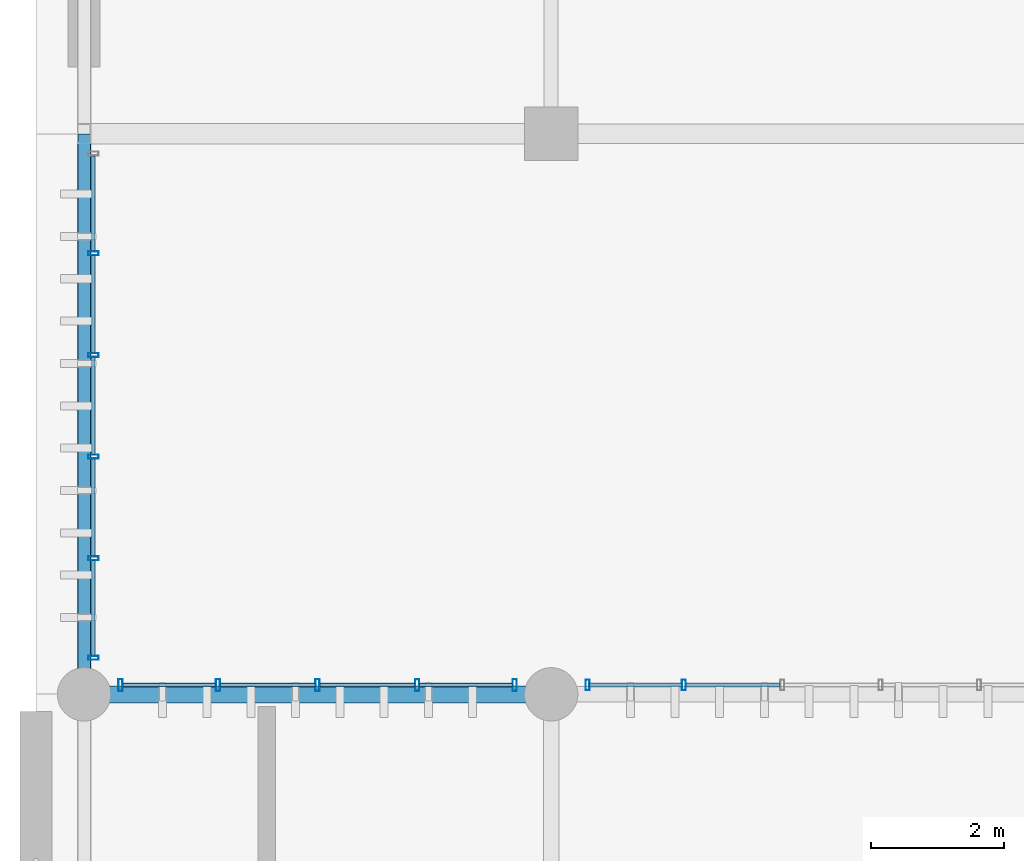
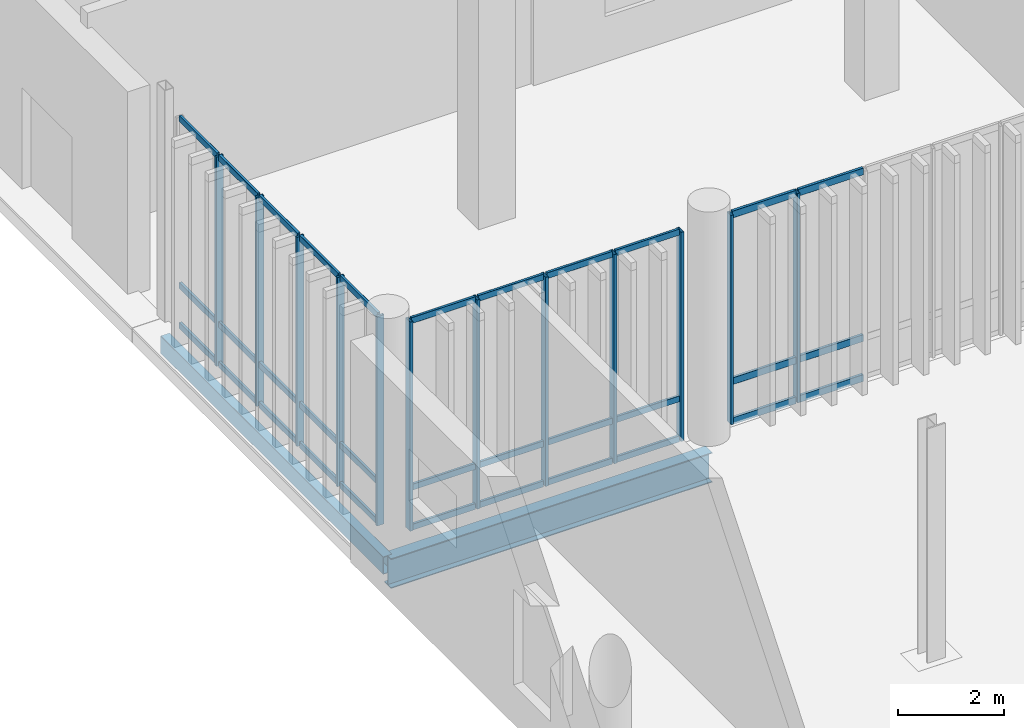
# One storey, part 15 of 112: 45 members, 2 beams, 3 elements without a shape of their own.
"""IFC4 building model written with IfcOpenShell, lengths in metres."""

import ifcopenshell
import ifcopenshell.guid

model = None  # the IFC model being written
_history = None  # IfcOwnerHistory: only IFC2X3 demands one
_inside = {}  # id of a spatial element -> (the spatial element, [elements in it])
_under = {}  # id of a project, library or spatial element -> (it, [spatial elements below it])
_declared = {}  # id of a project -> (the project, [libraries it declares])
_typed = {}  # id of a type object -> (the type object, [elements of that type])
_made_of = {}  # id of a material, layer set ... -> (it, [elements and type objects made of it])


def new_model(schema):
    """Start an empty IFC model of exactly this schema.

    Asked for "IFC4X3", IfcOpenShell would pick the latest addendum, in which some entities
    have other attributes; the version numbers below select the first issue.
    IFC2X3 requires an IfcOwnerHistory on every rooted entity: one is made here for all.
    """
    global model, _history
    if schema == "IFC4X3":
        model = ifcopenshell.file(schema_version=(4, 3, 0, 0))
    else:
        model = ifcopenshell.file(schema=schema)
    _inside.clear()
    _under.clear()
    _declared.clear()
    _typed.clear()
    _made_of.clear()
    _history = None
    if model.schema == "IFC2X3":
        org = make("IfcOrganization", Name="unknown")
        user = make(
            "IfcPersonAndOrganization",
            ThePerson=make("IfcPerson", FamilyName="unknown"),
            TheOrganization=org,
        )
        app = make(
            "IfcApplication",
            ApplicationDeveloper=org,
            Version="unknown",
            ApplicationFullName="unknown",
            ApplicationIdentifier="unknown",
        )
        _history = make(
            "IfcOwnerHistory",
            OwningUser=user,
            OwningApplication=app,
            ChangeAction="ADDED",
            CreationDate=0,
        )
    return model


def make(cls, **values):
    """One entity of the class cls with the attributes given. An attribute that is None is left unset."""
    return model.create_entity(
        cls, **{name: value for name, value in values.items() if value is not None}
    )


def rooted(cls, **values):
    """An entity with a GlobalId (a new one), such as an element, a storey or a relation."""
    return make(cls, GlobalId=ifcopenshell.guid.new(), OwnerHistory=_history, **values)


def si_unit(unit_type, name, prefix=None):
    """IfcSIUnit, for example si_unit("LENGTHUNIT", "METRE", prefix="MILLI")."""
    return make("IfcSIUnit", UnitType=unit_type, Prefix=prefix, Name=name)


def assignment(units):
    """IfcUnitAssignment: the units of a project."""
    return None if units is None else make("IfcUnitAssignment", Units=units)


def point(xyz):
    """IfcCartesianPoint."""
    return None if xyz is None else make("IfcCartesianPoint", Coordinates=xyz)


def direction(xyz):
    """IfcDirection."""
    return None if xyz is None else make("IfcDirection", DirectionRatios=xyz)


def frame(location, z_axis=None, x_axis=None):
    """IfcAxis2Placement3D, a coordinate frame: its origin and axes. An axis left out is left unset."""
    return make(
        "IfcAxis2Placement3D",
        Location=point(location),
        Axis=direction(z_axis),
        RefDirection=direction(x_axis),
    )


def frame_2d(location, x_axis=None):
    """IfcAxis2Placement2D, a coordinate frame in the plane: its origin and x axis."""
    return make(
        "IfcAxis2Placement2D", Location=point(location), RefDirection=direction(x_axis)
    )


def origin_with_axes():
    """The frame at (0, 0, 0) with the z axis (0, 0, 1) and the x axis (1, 0, 0) written out."""
    return frame((0.0, 0.0, 0.0), z_axis=(0.0, 0.0, 1.0), x_axis=(1.0, 0.0, 0.0))


def origin_2d_with_axis():
    """The frame at (0, 0) in the plane with the x axis (1, 0) written out."""
    return frame_2d((0.0, 0.0), x_axis=(1.0, 0.0))


def place(relative_to, where):
    """IfcLocalPlacement: puts the frame where relative to a parent placement (None: the world)."""
    return make(
        "IfcLocalPlacement", PlacementRelTo=relative_to, RelativePlacement=where
    )


def context(
    kind, dimensions, precision=None, world=None, true_north=None, identifier=None
):
    """IfcGeometricRepresentationContext, for example the 3D "Model" context."""
    return make(
        "IfcGeometricRepresentationContext",
        ContextIdentifier=identifier,
        ContextType=kind,
        CoordinateSpaceDimension=dimensions,
        Precision=precision,
        WorldCoordinateSystem=world,
        TrueNorth=true_north,
    )


def subcontext(parent, identifier, kind, view, scale=None):
    """IfcGeometricRepresentationSubContext, for example "Body" below "Model"."""
    return make(
        "IfcGeometricRepresentationSubContext",
        ContextIdentifier=identifier,
        ContextType=kind,
        ParentContext=parent,
        TargetScale=scale,
        TargetView=view,
    )


def project(units=None, contexts=None):
    """IfcProject with its units and contexts."""
    return rooted(
        "IfcProject",
        Name="project",
        RepresentationContexts=contexts,
        UnitsInContext=assignment(units),
    )


def spatial(cls, under=None, at=None, **own):
    """A site, building, storey or space (cls), placed at a placement, below another one or the project."""
    s = rooted(cls, ObjectPlacement=at, **own)
    if under is not None:
        _under.setdefault(under.id(), (under, []))[1].append(s)
    return s


def profile(cls, at=None, kind="AREA", **sizes):
    """A parametric profile (cls). Its sizes go by their IFC names, for example OverallWidth=200.0."""
    return make(cls, ProfileType=kind, Position=at, **sizes)


def hollow_rectangle(**sizes):
    """IfcRectangleHollowProfileDef."""
    return profile("IfcRectangleHollowProfileDef", **sizes)


def i_section(**sizes):
    """IfcIShapeProfileDef."""
    return profile("IfcIShapeProfileDef", **sizes)


def extrude(swept, where, along, depth):
    """IfcExtrudedAreaSolid: the profile swept, set in the frame where, extruded along a direction by depth."""
    return make(
        "IfcExtrudedAreaSolid",
        SweptArea=swept,
        Position=where,
        ExtrudedDirection=direction(along),
        Depth=depth,
    )


def shape(context_of_items, identifier, shape_type, items):
    """IfcShapeRepresentation: the items that make up one representation, for example the "Body"."""
    return make(
        "IfcShapeRepresentation",
        ContextOfItems=context_of_items,
        RepresentationIdentifier=identifier,
        RepresentationType=shape_type,
        Items=items,
    )


def material(Name=None, Category=None):
    """IfcMaterial."""
    return make("IfcMaterial", Name=Name, Category=Category)


def material_profile(
    of_material, cross_section, Name=None, Category=None, Priority=None
):
    """IfcMaterialProfile: a cross section and its material."""
    return make(
        "IfcMaterialProfile",
        Name=Name,
        Material=of_material,
        Profile=cross_section,
        Priority=Priority,
        Category=Category,
    )


def profile_set(profiles, Name=None, composite=None):
    """IfcMaterialProfileSet."""
    return make(
        "IfcMaterialProfileSet",
        Name=Name,
        MaterialProfiles=profiles,
        CompositeProfile=composite,
    )


def made_of(thing, what):
    """Note that an element or type object is made of a material, layer set ...; save() writes the relation."""
    if what is not None:
        _made_of.setdefault(what.id(), (what, []))[1].append(thing)
    return thing


def type_object(cls, material=None, **own):
    """A type object (cls), such as IfcWallType, which elements share."""
    return made_of(rooted(cls, **own), material)


def element(
    cls,
    number,
    at=None,
    inside=None,
    cuts=None,
    type_object=None,
    material=None,
    context=None,
    identifier="Body",
    shape_type=None,
    held_by="IfcProductDefinitionShape",
    body=None,
    shapes=None,
    **own,
):
    """One element of the class cls, such as IfcWall. Its Tag is "e" and its number.

    at: its placement. inside: the storey or other place that contains it. cuts: it is an
    opening in that element (IfcRelVoidsElement). A single representation is given by context,
    identifier, shape_type and body (its items); several are given by shapes. held_by: the class
    of the entity that holds the representations. save() writes the other relations.
    """
    e = rooted(cls, Tag="e%d" % number, ObjectPlacement=at, **own)
    if body is not None:
        shapes = [shape(context, identifier, shape_type, body)]
    if shapes is not None:
        e.Representation = make(held_by, Representations=shapes)
    if inside is not None:
        _inside.setdefault(inside.id(), (inside, []))[1].append(e)
    if cuts is not None:
        rooted(
            "IfcRelVoidsElement", RelatingBuildingElement=cuts, RelatedOpeningElement=e
        )
    if type_object is not None:
        _typed.setdefault(type_object.id(), (type_object, []))[1].append(e)
    return made_of(e, material)


def aggregate(whole, parts):
    """IfcRelAggregates: a whole, such as a stair, and the parts it consists of."""
    return rooted("IfcRelAggregates", RelatingObject=whole, RelatedObjects=parts)


def save(model, path):
    """Write the relations noted so far, then the file.

    IfcRelAggregates (storeys below a building ...), IfcRelContainedInSpatialStructure (elements
    in a storey), IfcRelDefinesByType, IfcRelAssociatesMaterial and IfcRelDeclares: one each for
    every whole, place, type object, material and project.
    """
    for whole, parts in _under.values():
        aggregate(whole, parts)
    for where, things in _inside.values():
        rooted(
            "IfcRelContainedInSpatialStructure",
            RelatedElements=things,
            RelatingStructure=where,
        )
    for kind, things in _typed.values():
        rooted("IfcRelDefinesByType", RelatedObjects=things, RelatingType=kind)
    for what, things in _made_of.values():
        rooted("IfcRelAssociatesMaterial", RelatedObjects=things, RelatingMaterial=what)
    for by, libraries in _declared.values():
        rooted("IfcRelDeclares", RelatingContext=by, RelatedDefinitions=libraries)
    model.write(path)


model = new_model("IFC4")

# Units and contexts
model_context = context("Model", 3, precision=1e-05, world=origin_with_axes(), true_north=direction((0.0, 1.0)))
body_context = subcontext(model_context, "Body", "Model", "MODEL_VIEW")
ifc_project = project(units=[si_unit("LENGTHUNIT", "METRE"), si_unit("AREAUNIT", "SQUARE_METRE"), si_unit("VOLUMEUNIT", "CUBIC_METRE"), si_unit("PLANEANGLEUNIT", "RADIAN"), si_unit("MASSUNIT", "GRAM", prefix="KILO"), si_unit("THERMODYNAMICTEMPERATUREUNIT", "KELVIN")], contexts=[model_context])

# Site, building, storey
site_placement = place(None, origin_with_axes())
site = spatial("IfcSite", under=ifc_project, at=site_placement, CompositionType="ELEMENT")
building_placement = place(site_placement, origin_with_axes())
building = spatial("IfcBuilding", under=site, at=building_placement, Name="Montbau Bow Law Courts", CompositionType="ELEMENT")
storey_placement = place(building_placement, origin_with_axes())
storey = spatial("IfcBuildingStorey", under=building, at=storey_placement, Name="L00", CompositionType="ELEMENT", Elevation=0.0)

# Beams
ifc_material_1 = material(Name="Steel CSA G40.21 Grade 350W (350 MPa)", Category="steel")
ifc_material_profile_1 = material_profile(ifc_material_1, i_section(OverallWidth=0.254, OverallDepth=0.688, WebThickness=0.0131, FlangeThickness=0.0211, at=origin_2d_with_axis()), Name="W690X152", Category="Main", Priority=0)
ifc_profile_set_1 = profile_set([ifc_material_profile_1], Name="Steel CSA G40.21 Grade 350W (350 MPa)")
beam_type_1 = type_object("IfcBeamType", Name="B-FLR-04", PredefinedType="BEAM", material=ifc_profile_set_1)
beam_1_placement = place(None, frame((6.8, 30.6, -0.684), z_axis=(1.0, 0.0, 0.0), x_axis=(0.0, 1.0, 0.0)))
element("IfcBeam", 1, at=beam_1_placement, inside=storey, type_object=beam_type_1, Name="BM-L00-S0169:bm2_0172", PredefinedType="BEAM", context=body_context, shape_type="SweptSolid", body=[
    extrude(i_section(OverallWidth=0.254, OverallDepth=0.688, WebThickness=0.0131, FlangeThickness=0.0211, at=origin_2d_with_axis()), origin_with_axes(), (0.0, 0.0, 1.0), 7.0),
])
ifc_material_2 = material(Name="Steel CSA G40.21 Grade 350WT (350 MPa)", Category="steel")
ifc_material_profile_2 = material_profile(ifc_material_2, hollow_rectangle(XDim=0.203, YDim=0.406, WallThickness=0.0127, InnerFilletRadius=0.0254, OuterFilletRadius=0.0127, at=origin_2d_with_axis()), Name="HSS406X203X13", Category="Main", Priority=0)
ifc_profile_set_2 = profile_set([ifc_material_profile_2], Name="Steel CSA G40.21 Grade 350WT (350 MPa)")
beam_type_2 = type_object("IfcBeamType", Name="B-SPN-01", PredefinedType="SPANDREL", material=ifc_profile_set_2)
beam_2_placement = place(None, frame((6.8, 30.6, -0.543), z_axis=(0.0, 1.0, 0.0), x_axis=(-1.0, 0.0, 0.0)))
element("IfcBeam", 2, at=beam_2_placement, inside=storey, type_object=beam_type_2, Name="SPN-L00-S0239:bm2_0242", PredefinedType="SPANDREL", context=body_context, shape_type="SweptSolid", body=[
    extrude(hollow_rectangle(XDim=0.203, YDim=0.406, WallThickness=0.0127, InnerFilletRadius=0.0254, OuterFilletRadius=0.0127, at=origin_2d_with_axis()), origin_with_axes(), (0.0, 0.0, 1.0), 8.4),
])

# Curtain wall, members
ifc_material_3 = material(Name="Thermally Broken Extruded Aluminium AA 6063-T6", Category="aluminium")
curtain_wall_type = type_object("IfcCurtainWallType", Name="CW-TRC-01", PredefinedType="NOTDEFINED", material=ifc_material_3)
curtain_wall_1_placement = place(None, frame((7.315, 30.74, 0.0), z_axis=(0.0, 0.0, 1.0), x_axis=(1.0, 0.0, 0.0)))
curtain_wall_1 = element("IfcCurtainWall", 3, at=curtain_wall_1_placement, inside=storey, type_object=curtain_wall_type, Name="CW-L00-001:cw_0001", PredefinedType="NOTDEFINED")
ifc_material_profile_3 = material_profile(ifc_material_3, hollow_rectangle(XDim=0.065, YDim=0.18, WallThickness=0.005, InnerFilletRadius=0.01, OuterFilletRadius=0.005, at=origin_2d_with_axis()), Name="CWM-180X65", Category="Main", Priority=0)
ifc_profile_set_3 = profile_set([ifc_material_profile_3], Name="Thermally Broken Extruded Aluminium AA 6063-T6")
member_type_1 = type_object("IfcMemberType", Name="M-MUL-02", PredefinedType="MULLION", material=ifc_profile_set_3)
member_1_placement = place(None, frame((7.348, 30.74, 0.0), z_axis=(0.0, 0.0, 1.0), x_axis=(1.0, 0.0, 0.0)))
member_1 = element("IfcMember", 4, at=member_1_placement, type_object=member_type_1, Name="CW-L00-001-M01:cw_0001_M01", PredefinedType="MULLION", context=body_context, shape_type="SweptSolid", body=[
    extrude(hollow_rectangle(XDim=0.065, YDim=0.18, WallThickness=0.005, InnerFilletRadius=0.01, OuterFilletRadius=0.005, at=origin_2d_with_axis()), origin_with_axes(), (0.0, 0.0, 1.0), 4.82),
])
member_2_placement = place(None, frame((8.807, 30.74, 0.0), z_axis=(0.0, 0.0, 1.0), x_axis=(1.0, 0.0, 0.0)))
member_2 = element("IfcMember", 5, at=member_2_placement, type_object=member_type_1, Name="CW-L00-001-M02:cw_0001_M02", PredefinedType="MULLION", context=body_context, shape_type="SweptSolid", body=[
    extrude(hollow_rectangle(XDim=0.065, YDim=0.18, WallThickness=0.005, InnerFilletRadius=0.01, OuterFilletRadius=0.005, at=origin_2d_with_axis()), origin_with_axes(), (0.0, 0.0, 1.0), 4.82),
])
member_3_placement = place(None, frame((10.3, 30.74, 0.0), z_axis=(0.0, 0.0, 1.0), x_axis=(1.0, 0.0, 0.0)))
member_3 = element("IfcMember", 6, at=member_3_placement, type_object=member_type_1, Name="CW-L00-001-M03:cw_0001_M03", PredefinedType="MULLION", context=body_context, shape_type="SweptSolid", body=[
    extrude(hollow_rectangle(XDim=0.065, YDim=0.18, WallThickness=0.005, InnerFilletRadius=0.01, OuterFilletRadius=0.005, at=origin_2d_with_axis()), origin_with_axes(), (0.0, 0.0, 1.0), 4.82),
])
member_4_placement = place(None, frame((11.793, 30.74, 0.0), z_axis=(0.0, 0.0, 1.0), x_axis=(1.0, 0.0, 0.0)))
member_4 = element("IfcMember", 7, at=member_4_placement, type_object=member_type_1, Name="CW-L00-001-M04:cw_0001_M04", PredefinedType="MULLION", context=body_context, shape_type="SweptSolid", body=[
    extrude(hollow_rectangle(XDim=0.065, YDim=0.18, WallThickness=0.005, InnerFilletRadius=0.01, OuterFilletRadius=0.005, at=origin_2d_with_axis()), origin_with_axes(), (0.0, 0.0, 1.0), 4.82),
])
member_5_placement = place(None, frame((13.253, 30.74, 0.0), z_axis=(0.0, 0.0, 1.0), x_axis=(1.0, 0.0, 0.0)))
member_5 = element("IfcMember", 8, at=member_5_placement, type_object=member_type_1, Name="CW-L00-001-M05:cw_0001_M05", PredefinedType="MULLION", context=body_context, shape_type="SweptSolid", body=[
    extrude(hollow_rectangle(XDim=0.065, YDim=0.18, WallThickness=0.005, InnerFilletRadius=0.01, OuterFilletRadius=0.005, at=origin_2d_with_axis()), origin_with_axes(), (0.0, 0.0, 1.0), 4.82),
])

curtain_wall_2_placement = place(None, frame((14.315, 30.74, 0.0), z_axis=(0.0, 0.0, 1.0), x_axis=(1.0, 0.0, 0.0)))
curtain_wall_2 = element("IfcCurtainWall", 9, at=curtain_wall_2_placement, inside=storey, type_object=curtain_wall_type, Name="CW-L00-002:cw_0002", PredefinedType="NOTDEFINED")
ifc_material_profile_4 = material_profile(ifc_material_3, hollow_rectangle(XDim=0.06, YDim=0.16, WallThickness=0.004, InnerFilletRadius=0.008, OuterFilletRadius=0.004, at=origin_2d_with_axis()), Name="CWM-160X60", Category="Main", Priority=0)
ifc_profile_set_4 = profile_set([ifc_material_profile_4], Name="Thermally Broken Extruded Aluminium AA 6063-T6")
member_type_2 = type_object("IfcMemberType", Name="M-MUL-03", PredefinedType="MULLION", material=ifc_profile_set_4)
member_6_placement = place(None, frame((14.345, 30.74, 0.0), z_axis=(0.0, 0.0, 1.0), x_axis=(1.0, 0.0, 0.0)))
member_6 = element("IfcMember", 10, at=member_6_placement, type_object=member_type_2, Name="CW-L00-002-M01:cw_0002_M01", PredefinedType="MULLION", context=body_context, shape_type="SweptSolid", body=[
    extrude(hollow_rectangle(XDim=0.06, YDim=0.16, WallThickness=0.004, InnerFilletRadius=0.008, OuterFilletRadius=0.004, at=origin_2d_with_axis()), origin_with_axes(), (0.0, 0.0, 1.0), 4.82),
])
member_7_placement = place(None, frame((15.789, 30.74, 0.0), z_axis=(0.0, 0.0, 1.0), x_axis=(1.0, 0.0, 0.0)))
member_7 = element("IfcMember", 11, at=member_7_placement, type_object=member_type_2, Name="CW-L00-002-M02:cw_0002_M02", PredefinedType="MULLION", context=body_context, shape_type="SweptSolid", body=[
    extrude(hollow_rectangle(XDim=0.06, YDim=0.16, WallThickness=0.004, InnerFilletRadius=0.008, OuterFilletRadius=0.004, at=origin_2d_with_axis()), origin_with_axes(), (0.0, 0.0, 1.0), 4.82),
])

curtain_wall_3_placement = place(None, frame((6.94, 31.115, 0.0), z_axis=(0.0, 0.0, 1.0), x_axis=(1.0, 0.0, 0.0)))
curtain_wall_3 = element("IfcCurtainWall", 12, at=curtain_wall_3_placement, inside=storey, type_object=curtain_wall_type, Name="CW-L00-011:cw_0011", PredefinedType="NOTDEFINED")
member_8_placement = place(None, frame((6.94, 31.145, 0.0), z_axis=(0.0, 0.0, 1.0), x_axis=(0.0, 1.0, 0.0)))
member_8 = element("IfcMember", 13, at=member_8_placement, type_object=member_type_2, Name="CW-L00-011-M01:cw_0011_M01", PredefinedType="MULLION", context=body_context, shape_type="SweptSolid", body=[
    extrude(hollow_rectangle(XDim=0.06, YDim=0.16, WallThickness=0.004, InnerFilletRadius=0.008, OuterFilletRadius=0.004, at=origin_2d_with_axis()), origin_with_axes(), (0.0, 0.0, 1.0), 4.82),
])
member_9_placement = place(None, frame((6.94, 32.638, 0.0), z_axis=(0.0, 0.0, 1.0), x_axis=(0.0, 1.0, 0.0)))
member_9 = element("IfcMember", 14, at=member_9_placement, type_object=member_type_2, Name="CW-L00-011-M02:cw_0011_M02", PredefinedType="MULLION", context=body_context, shape_type="SweptSolid", body=[
    extrude(hollow_rectangle(XDim=0.06, YDim=0.16, WallThickness=0.004, InnerFilletRadius=0.008, OuterFilletRadius=0.004, at=origin_2d_with_axis()), origin_with_axes(), (0.0, 0.0, 1.0), 4.82),
])
member_10_placement = place(None, frame((6.94, 34.162, 0.0), z_axis=(0.0, 0.0, 1.0), x_axis=(0.0, 1.0, 0.0)))
member_10 = element("IfcMember", 15, at=member_10_placement, type_object=member_type_2, Name="CW-L00-011-M03:cw_0011_M03", PredefinedType="MULLION", context=body_context, shape_type="SweptSolid", body=[
    extrude(hollow_rectangle(XDim=0.06, YDim=0.16, WallThickness=0.004, InnerFilletRadius=0.008, OuterFilletRadius=0.004, at=origin_2d_with_axis()), origin_with_axes(), (0.0, 0.0, 1.0), 4.82),
])
member_11_placement = place(None, frame((6.94, 35.685, 0.0), z_axis=(0.0, 0.0, 1.0), x_axis=(0.0, 1.0, 0.0)))
member_11 = element("IfcMember", 16, at=member_11_placement, type_object=member_type_2, Name="CW-L00-011-M04:cw_0011_M04", PredefinedType="MULLION", context=body_context, shape_type="SweptSolid", body=[
    extrude(hollow_rectangle(XDim=0.06, YDim=0.16, WallThickness=0.004, InnerFilletRadius=0.008, OuterFilletRadius=0.004, at=origin_2d_with_axis()), origin_with_axes(), (0.0, 0.0, 1.0), 4.82),
])
member_12_placement = place(None, frame((6.94, 37.209, 0.0), z_axis=(0.0, 0.0, 1.0), x_axis=(0.0, 1.0, 0.0)))
member_12 = element("IfcMember", 17, at=member_12_placement, type_object=member_type_2, Name="CW-L00-011-M05:cw_0011_M05", PredefinedType="MULLION", context=body_context, shape_type="SweptSolid", body=[
    extrude(hollow_rectangle(XDim=0.06, YDim=0.16, WallThickness=0.004, InnerFilletRadius=0.008, OuterFilletRadius=0.004, at=origin_2d_with_axis()), origin_with_axes(), (0.0, 0.0, 1.0), 4.82),
])

# Member
ifc_material_profile_5 = material_profile(ifc_material_3, hollow_rectangle(XDim=0.06, YDim=0.16, WallThickness=0.004, InnerFilletRadius=0.008, OuterFilletRadius=0.004, at=origin_2d_with_axis()), Name="CWT-160X60", Category="Main", Priority=0)
ifc_profile_set_5 = profile_set([ifc_material_profile_5], Name="Thermally Broken Extruded Aluminium AA 6063-T6")
member_type_3 = type_object("IfcMemberType", Name="M-TRN-01", PredefinedType="USERDEFINED", material=ifc_profile_set_5)
member_13_placement = place(None, frame((14.377, 30.74, 0.03), z_axis=(1.0, 0.0, 0.0), x_axis=(0.0, 1.0, 0.0)))
member_13 = element("IfcMember", 18, at=member_13_placement, type_object=member_type_3, Name="CW-L00-002-T01-1:cw_0002_T01_1", ObjectType="TRANSOM", PredefinedType="USERDEFINED", context=body_context, shape_type="SweptSolid", body=[
    extrude(hollow_rectangle(XDim=0.06, YDim=0.16, WallThickness=0.004, InnerFilletRadius=0.008, OuterFilletRadius=0.004, at=origin_2d_with_axis()), origin_with_axes(), (0.0, 0.0, 1.0), 1.38),
])

member_14_placement = place(None, frame((14.377, 30.74, 0.95), z_axis=(1.0, 0.0, 0.0), x_axis=(0.0, 1.0, 0.0)))
member_14 = element("IfcMember", 19, at=member_14_placement, type_object=member_type_3, Name="CW-L00-002-T01-2:cw_0002_T01_2", ObjectType="TRANSOM", PredefinedType="USERDEFINED", context=body_context, shape_type="SweptSolid", body=[
    extrude(hollow_rectangle(XDim=0.06, YDim=0.16, WallThickness=0.004, InnerFilletRadius=0.008, OuterFilletRadius=0.004, at=origin_2d_with_axis()), origin_with_axes(), (0.0, 0.0, 1.0), 1.38),
])

member_15_placement = place(None, frame((14.377, 30.74, 4.79), z_axis=(1.0, 0.0, 0.0), x_axis=(0.0, 1.0, 0.0)))
member_15 = element("IfcMember", 20, at=member_15_placement, type_object=member_type_3, Name="CW-L00-002-T01-3:cw_0002_T01_3", ObjectType="TRANSOM", PredefinedType="USERDEFINED", context=body_context, shape_type="SweptSolid", body=[
    extrude(hollow_rectangle(XDim=0.06, YDim=0.16, WallThickness=0.004, InnerFilletRadius=0.008, OuterFilletRadius=0.004, at=origin_2d_with_axis()), origin_with_axes(), (0.0, 0.0, 1.0), 1.38),
])

member_16_placement = place(None, frame((15.821, 30.74, 0.03), z_axis=(1.0, 0.0, 0.0), x_axis=(0.0, 1.0, 0.0)))
member_16 = element("IfcMember", 21, at=member_16_placement, type_object=member_type_3, Name="CW-L00-002-T02-1:cw_0002_T02_1", ObjectType="TRANSOM", PredefinedType="USERDEFINED", context=body_context, shape_type="SweptSolid", body=[
    extrude(hollow_rectangle(XDim=0.06, YDim=0.16, WallThickness=0.004, InnerFilletRadius=0.008, OuterFilletRadius=0.004, at=origin_2d_with_axis()), origin_with_axes(), (0.0, 0.0, 1.0), 1.41),
])

member_17_placement = place(None, frame((15.821, 30.74, 0.95), z_axis=(1.0, 0.0, 0.0), x_axis=(0.0, 1.0, 0.0)))
member_17 = element("IfcMember", 22, at=member_17_placement, type_object=member_type_3, Name="CW-L00-002-T02-2:cw_0002_T02_2", ObjectType="TRANSOM", PredefinedType="USERDEFINED", context=body_context, shape_type="SweptSolid", body=[
    extrude(hollow_rectangle(XDim=0.06, YDim=0.16, WallThickness=0.004, InnerFilletRadius=0.008, OuterFilletRadius=0.004, at=origin_2d_with_axis()), origin_with_axes(), (0.0, 0.0, 1.0), 1.41),
])

member_18_placement = place(None, frame((15.821, 30.74, 4.79), z_axis=(1.0, 0.0, 0.0), x_axis=(0.0, 1.0, 0.0)))
member_18 = element("IfcMember", 23, at=member_18_placement, type_object=member_type_3, Name="CW-L00-002-T02-3:cw_0002_T02_3", ObjectType="TRANSOM", PredefinedType="USERDEFINED", context=body_context, shape_type="SweptSolid", body=[
    extrude(hollow_rectangle(XDim=0.06, YDim=0.16, WallThickness=0.004, InnerFilletRadius=0.008, OuterFilletRadius=0.004, at=origin_2d_with_axis()), origin_with_axes(), (0.0, 0.0, 1.0), 1.41),
])

aggregate(curtain_wall_2, [member_6, member_7, member_13, member_14, member_15, member_16, member_17, member_18])

ifc_material_profile_6 = material_profile(ifc_material_3, hollow_rectangle(XDim=0.055, YDim=0.14, WallThickness=0.004, InnerFilletRadius=0.008, OuterFilletRadius=0.004, at=origin_2d_with_axis()), Name="CWT-140X55", Category="Main", Priority=0)
ifc_profile_set_6 = profile_set([ifc_material_profile_6], Name="Thermally Broken Extruded Aluminium AA 6063-T6")
member_type_4 = type_object("IfcMemberType", Name="M-TRN-02", PredefinedType="USERDEFINED", material=ifc_profile_set_6)
member_19_placement = place(None, frame((7.383, 30.74, 0.028), z_axis=(1.0, 0.0, 0.0), x_axis=(0.0, 1.0, 0.0)))
member_19 = element("IfcMember", 24, at=member_19_placement, type_object=member_type_4, Name="CW-L00-001-T01-1:cw_0001_T01_1", ObjectType="TRANSOM", PredefinedType="USERDEFINED", context=body_context, shape_type="SweptSolid", body=[
    extrude(hollow_rectangle(XDim=0.055, YDim=0.14, WallThickness=0.004, InnerFilletRadius=0.008, OuterFilletRadius=0.004, at=origin_2d_with_axis()), origin_with_axes(), (0.0, 0.0, 1.0), 1.39),
])

member_20_placement = place(None, frame((7.383, 30.74, 0.95), z_axis=(1.0, 0.0, 0.0), x_axis=(0.0, 1.0, 0.0)))
member_20 = element("IfcMember", 25, at=member_20_placement, type_object=member_type_4, Name="CW-L00-001-T01-2:cw_0001_T01_2", ObjectType="TRANSOM", PredefinedType="USERDEFINED", context=body_context, shape_type="SweptSolid", body=[
    extrude(hollow_rectangle(XDim=0.055, YDim=0.14, WallThickness=0.004, InnerFilletRadius=0.008, OuterFilletRadius=0.004, at=origin_2d_with_axis()), origin_with_axes(), (0.0, 0.0, 1.0), 1.39),
])

member_21_placement = place(None, frame((7.383, 30.74, 4.793), z_axis=(1.0, 0.0, 0.0), x_axis=(0.0, 1.0, 0.0)))
member_21 = element("IfcMember", 26, at=member_21_placement, type_object=member_type_4, Name="CW-L00-001-T01-3:cw_0001_T01_3", ObjectType="TRANSOM", PredefinedType="USERDEFINED", context=body_context, shape_type="SweptSolid", body=[
    extrude(hollow_rectangle(XDim=0.055, YDim=0.14, WallThickness=0.004, InnerFilletRadius=0.008, OuterFilletRadius=0.004, at=origin_2d_with_axis()), origin_with_axes(), (0.0, 0.0, 1.0), 1.39),
])

member_22_placement = place(None, frame((8.841, 30.74, 0.028), z_axis=(1.0, 0.0, 0.0), x_axis=(0.0, 1.0, 0.0)))
member_22 = element("IfcMember", 27, at=member_22_placement, type_object=member_type_4, Name="CW-L00-001-T02-1:cw_0001_T02_1", ObjectType="TRANSOM", PredefinedType="USERDEFINED", context=body_context, shape_type="SweptSolid", body=[
    extrude(hollow_rectangle(XDim=0.055, YDim=0.14, WallThickness=0.004, InnerFilletRadius=0.008, OuterFilletRadius=0.004, at=origin_2d_with_axis()), origin_with_axes(), (0.0, 0.0, 1.0), 1.424),
])

member_23_placement = place(None, frame((8.841, 30.74, 0.95), z_axis=(1.0, 0.0, 0.0), x_axis=(0.0, 1.0, 0.0)))
member_23 = element("IfcMember", 28, at=member_23_placement, type_object=member_type_4, Name="CW-L00-001-T02-2:cw_0001_T02_2", ObjectType="TRANSOM", PredefinedType="USERDEFINED", context=body_context, shape_type="SweptSolid", body=[
    extrude(hollow_rectangle(XDim=0.055, YDim=0.14, WallThickness=0.004, InnerFilletRadius=0.008, OuterFilletRadius=0.004, at=origin_2d_with_axis()), origin_with_axes(), (0.0, 0.0, 1.0), 1.424),
])

member_24_placement = place(None, frame((8.841, 30.74, 4.793), z_axis=(1.0, 0.0, 0.0), x_axis=(0.0, 1.0, 0.0)))
member_24 = element("IfcMember", 29, at=member_24_placement, type_object=member_type_4, Name="CW-L00-001-T02-3:cw_0001_T02_3", ObjectType="TRANSOM", PredefinedType="USERDEFINED", context=body_context, shape_type="SweptSolid", body=[
    extrude(hollow_rectangle(XDim=0.055, YDim=0.14, WallThickness=0.004, InnerFilletRadius=0.008, OuterFilletRadius=0.004, at=origin_2d_with_axis()), origin_with_axes(), (0.0, 0.0, 1.0), 1.424),
])

member_25_placement = place(None, frame((10.334, 30.74, 0.028), z_axis=(1.0, 0.0, 0.0), x_axis=(0.0, 1.0, 0.0)))
member_25 = element("IfcMember", 30, at=member_25_placement, type_object=member_type_4, Name="CW-L00-001-T03-1:cw_0001_T03_1", ObjectType="TRANSOM", PredefinedType="USERDEFINED", context=body_context, shape_type="SweptSolid", body=[
    extrude(hollow_rectangle(XDim=0.055, YDim=0.14, WallThickness=0.004, InnerFilletRadius=0.008, OuterFilletRadius=0.004, at=origin_2d_with_axis()), origin_with_axes(), (0.0, 0.0, 1.0), 1.425),
])

member_26_placement = place(None, frame((10.334, 30.74, 0.95), z_axis=(1.0, 0.0, 0.0), x_axis=(0.0, 1.0, 0.0)))
member_26 = element("IfcMember", 31, at=member_26_placement, type_object=member_type_4, Name="CW-L00-001-T03-2:cw_0001_T03_2", ObjectType="TRANSOM", PredefinedType="USERDEFINED", context=body_context, shape_type="SweptSolid", body=[
    extrude(hollow_rectangle(XDim=0.055, YDim=0.14, WallThickness=0.004, InnerFilletRadius=0.008, OuterFilletRadius=0.004, at=origin_2d_with_axis()), origin_with_axes(), (0.0, 0.0, 1.0), 1.425),
])

member_27_placement = place(None, frame((10.334, 30.74, 4.793), z_axis=(1.0, 0.0, 0.0), x_axis=(0.0, 1.0, 0.0)))
member_27 = element("IfcMember", 32, at=member_27_placement, type_object=member_type_4, Name="CW-L00-001-T03-3:cw_0001_T03_3", ObjectType="TRANSOM", PredefinedType="USERDEFINED", context=body_context, shape_type="SweptSolid", body=[
    extrude(hollow_rectangle(XDim=0.055, YDim=0.14, WallThickness=0.004, InnerFilletRadius=0.008, OuterFilletRadius=0.004, at=origin_2d_with_axis()), origin_with_axes(), (0.0, 0.0, 1.0), 1.425),
])

member_28_placement = place(None, frame((11.827, 30.74, 0.028), z_axis=(1.0, 0.0, 0.0), x_axis=(0.0, 1.0, 0.0)))
member_28 = element("IfcMember", 33, at=member_28_placement, type_object=member_type_4, Name="CW-L00-001-T04-1:cw_0001_T04_1", ObjectType="TRANSOM", PredefinedType="USERDEFINED", context=body_context, shape_type="SweptSolid", body=[
    extrude(hollow_rectangle(XDim=0.055, YDim=0.14, WallThickness=0.004, InnerFilletRadius=0.008, OuterFilletRadius=0.004, at=origin_2d_with_axis()), origin_with_axes(), (0.0, 0.0, 1.0), 1.392),
])

member_29_placement = place(None, frame((11.827, 30.74, 0.95), z_axis=(1.0, 0.0, 0.0), x_axis=(0.0, 1.0, 0.0)))
member_29 = element("IfcMember", 34, at=member_29_placement, type_object=member_type_4, Name="CW-L00-001-T04-2:cw_0001_T04_2", ObjectType="TRANSOM", PredefinedType="USERDEFINED", context=body_context, shape_type="SweptSolid", body=[
    extrude(hollow_rectangle(XDim=0.055, YDim=0.14, WallThickness=0.004, InnerFilletRadius=0.008, OuterFilletRadius=0.004, at=origin_2d_with_axis()), origin_with_axes(), (0.0, 0.0, 1.0), 1.392),
])

member_30_placement = place(None, frame((11.827, 30.74, 4.793), z_axis=(1.0, 0.0, 0.0), x_axis=(0.0, 1.0, 0.0)))
member_30 = element("IfcMember", 35, at=member_30_placement, type_object=member_type_4, Name="CW-L00-001-T04-3:cw_0001_T04_3", ObjectType="TRANSOM", PredefinedType="USERDEFINED", context=body_context, shape_type="SweptSolid", body=[
    extrude(hollow_rectangle(XDim=0.055, YDim=0.14, WallThickness=0.004, InnerFilletRadius=0.008, OuterFilletRadius=0.004, at=origin_2d_with_axis()), origin_with_axes(), (0.0, 0.0, 1.0), 1.392),
])

aggregate(curtain_wall_1, [member_1, member_2, member_3, member_4, member_5, member_19, member_20, member_21, member_22, member_23, member_24, member_25, member_26, member_27, member_28, member_29, member_30])

member_31_placement = place(None, frame((6.94, 31.177, 0.028), z_axis=(0.0, 1.0, 0.0), x_axis=(-1.0, 0.0, 0.0)))
member_31 = element("IfcMember", 36, at=member_31_placement, type_object=member_type_4, Name="CW-L00-011-T01-1:cw_0011_T01_1", ObjectType="TRANSOM", PredefinedType="USERDEFINED", context=body_context, shape_type="SweptSolid", body=[
    extrude(hollow_rectangle(XDim=0.055, YDim=0.14, WallThickness=0.004, InnerFilletRadius=0.008, OuterFilletRadius=0.004, at=origin_2d_with_axis()), origin_with_axes(), (0.0, 0.0, 1.0), 1.429),
])

member_32_placement = place(None, frame((6.94, 31.177, 0.95), z_axis=(0.0, 1.0, 0.0), x_axis=(-1.0, 0.0, 0.0)))
member_32 = element("IfcMember", 37, at=member_32_placement, type_object=member_type_4, Name="CW-L00-011-T01-2:cw_0011_T01_2", ObjectType="TRANSOM", PredefinedType="USERDEFINED", context=body_context, shape_type="SweptSolid", body=[
    extrude(hollow_rectangle(XDim=0.055, YDim=0.14, WallThickness=0.004, InnerFilletRadius=0.008, OuterFilletRadius=0.004, at=origin_2d_with_axis()), origin_with_axes(), (0.0, 0.0, 1.0), 1.429),
])

member_33_placement = place(None, frame((6.94, 31.177, 4.793), z_axis=(0.0, 1.0, 0.0), x_axis=(-1.0, 0.0, 0.0)))
member_33 = element("IfcMember", 38, at=member_33_placement, type_object=member_type_4, Name="CW-L00-011-T01-3:cw_0011_T01_3", ObjectType="TRANSOM", PredefinedType="USERDEFINED", context=body_context, shape_type="SweptSolid", body=[
    extrude(hollow_rectangle(XDim=0.055, YDim=0.14, WallThickness=0.004, InnerFilletRadius=0.008, OuterFilletRadius=0.004, at=origin_2d_with_axis()), origin_with_axes(), (0.0, 0.0, 1.0), 1.429),
])

member_34_placement = place(None, frame((6.94, 32.67, 0.028), z_axis=(0.0, 1.0, 0.0), x_axis=(-1.0, 0.0, 0.0)))
member_34 = element("IfcMember", 39, at=member_34_placement, type_object=member_type_4, Name="CW-L00-011-T02-1:cw_0011_T02_1", ObjectType="TRANSOM", PredefinedType="USERDEFINED", context=body_context, shape_type="SweptSolid", body=[
    extrude(hollow_rectangle(XDim=0.055, YDim=0.14, WallThickness=0.004, InnerFilletRadius=0.008, OuterFilletRadius=0.004, at=origin_2d_with_axis()), origin_with_axes(), (0.0, 0.0, 1.0), 1.46),
])

member_35_placement = place(None, frame((6.94, 32.67, 0.95), z_axis=(0.0, 1.0, 0.0), x_axis=(-1.0, 0.0, 0.0)))
member_35 = element("IfcMember", 40, at=member_35_placement, type_object=member_type_4, Name="CW-L00-011-T02-2:cw_0011_T02_2", ObjectType="TRANSOM", PredefinedType="USERDEFINED", context=body_context, shape_type="SweptSolid", body=[
    extrude(hollow_rectangle(XDim=0.055, YDim=0.14, WallThickness=0.004, InnerFilletRadius=0.008, OuterFilletRadius=0.004, at=origin_2d_with_axis()), origin_with_axes(), (0.0, 0.0, 1.0), 1.46),
])

member_36_placement = place(None, frame((6.94, 32.67, 4.793), z_axis=(0.0, 1.0, 0.0), x_axis=(-1.0, 0.0, 0.0)))
member_36 = element("IfcMember", 41, at=member_36_placement, type_object=member_type_4, Name="CW-L00-011-T02-3:cw_0011_T02_3", ObjectType="TRANSOM", PredefinedType="USERDEFINED", context=body_context, shape_type="SweptSolid", body=[
    extrude(hollow_rectangle(XDim=0.055, YDim=0.14, WallThickness=0.004, InnerFilletRadius=0.008, OuterFilletRadius=0.004, at=origin_2d_with_axis()), origin_with_axes(), (0.0, 0.0, 1.0), 1.46),
])

member_37_placement = place(None, frame((6.94, 34.194, 0.028), z_axis=(0.0, 1.0, 0.0), x_axis=(-1.0, 0.0, 0.0)))
member_37 = element("IfcMember", 42, at=member_37_placement, type_object=member_type_4, Name="CW-L00-011-T03-1:cw_0011_T03_1", ObjectType="TRANSOM", PredefinedType="USERDEFINED", context=body_context, shape_type="SweptSolid", body=[
    extrude(hollow_rectangle(XDim=0.055, YDim=0.14, WallThickness=0.004, InnerFilletRadius=0.008, OuterFilletRadius=0.004, at=origin_2d_with_axis()), origin_with_axes(), (0.0, 0.0, 1.0), 1.459),
])

member_38_placement = place(None, frame((6.94, 34.194, 0.95), z_axis=(0.0, 1.0, 0.0), x_axis=(-1.0, 0.0, 0.0)))
member_38 = element("IfcMember", 43, at=member_38_placement, type_object=member_type_4, Name="CW-L00-011-T03-2:cw_0011_T03_2", ObjectType="TRANSOM", PredefinedType="USERDEFINED", context=body_context, shape_type="SweptSolid", body=[
    extrude(hollow_rectangle(XDim=0.055, YDim=0.14, WallThickness=0.004, InnerFilletRadius=0.008, OuterFilletRadius=0.004, at=origin_2d_with_axis()), origin_with_axes(), (0.0, 0.0, 1.0), 1.459),
])

member_39_placement = place(None, frame((6.94, 34.194, 4.793), z_axis=(0.0, 1.0, 0.0), x_axis=(-1.0, 0.0, 0.0)))
member_39 = element("IfcMember", 44, at=member_39_placement, type_object=member_type_4, Name="CW-L00-011-T03-3:cw_0011_T03_3", ObjectType="TRANSOM", PredefinedType="USERDEFINED", context=body_context, shape_type="SweptSolid", body=[
    extrude(hollow_rectangle(XDim=0.055, YDim=0.14, WallThickness=0.004, InnerFilletRadius=0.008, OuterFilletRadius=0.004, at=origin_2d_with_axis()), origin_with_axes(), (0.0, 0.0, 1.0), 1.459),
])

member_40_placement = place(None, frame((6.94, 35.717, 0.028), z_axis=(0.0, 1.0, 0.0), x_axis=(-1.0, 0.0, 0.0)))
member_40 = element("IfcMember", 45, at=member_40_placement, type_object=member_type_4, Name="CW-L00-011-T04-1:cw_0011_T04_1", ObjectType="TRANSOM", PredefinedType="USERDEFINED", context=body_context, shape_type="SweptSolid", body=[
    extrude(hollow_rectangle(XDim=0.055, YDim=0.14, WallThickness=0.004, InnerFilletRadius=0.008, OuterFilletRadius=0.004, at=origin_2d_with_axis()), origin_with_axes(), (0.0, 0.0, 1.0), 1.46),
])

member_41_placement = place(None, frame((6.94, 35.717, 0.95), z_axis=(0.0, 1.0, 0.0), x_axis=(-1.0, 0.0, 0.0)))
member_41 = element("IfcMember", 46, at=member_41_placement, type_object=member_type_4, Name="CW-L00-011-T04-2:cw_0011_T04_2", ObjectType="TRANSOM", PredefinedType="USERDEFINED", context=body_context, shape_type="SweptSolid", body=[
    extrude(hollow_rectangle(XDim=0.055, YDim=0.14, WallThickness=0.004, InnerFilletRadius=0.008, OuterFilletRadius=0.004, at=origin_2d_with_axis()), origin_with_axes(), (0.0, 0.0, 1.0), 1.46),
])

member_42_placement = place(None, frame((6.94, 35.717, 4.793), z_axis=(0.0, 1.0, 0.0), x_axis=(-1.0, 0.0, 0.0)))
member_42 = element("IfcMember", 47, at=member_42_placement, type_object=member_type_4, Name="CW-L00-011-T04-3:cw_0011_T04_3", ObjectType="TRANSOM", PredefinedType="USERDEFINED", context=body_context, shape_type="SweptSolid", body=[
    extrude(hollow_rectangle(XDim=0.055, YDim=0.14, WallThickness=0.004, InnerFilletRadius=0.008, OuterFilletRadius=0.004, at=origin_2d_with_axis()), origin_with_axes(), (0.0, 0.0, 1.0), 1.46),
])

member_43_placement = place(None, frame((6.94, 37.241, 0.028), z_axis=(0.0, 1.0, 0.0), x_axis=(-1.0, 0.0, 0.0)))
member_43 = element("IfcMember", 48, at=member_43_placement, type_object=member_type_4, Name="CW-L00-011-T05-1:cw_0011_T05_1", ObjectType="TRANSOM", PredefinedType="USERDEFINED", context=body_context, shape_type="SweptSolid", body=[
    extrude(hollow_rectangle(XDim=0.055, YDim=0.14, WallThickness=0.004, InnerFilletRadius=0.008, OuterFilletRadius=0.004, at=origin_2d_with_axis()), origin_with_axes(), (0.0, 0.0, 1.0), 1.429),
])

member_44_placement = place(None, frame((6.94, 37.241, 0.95), z_axis=(0.0, 1.0, 0.0), x_axis=(-1.0, 0.0, 0.0)))
member_44 = element("IfcMember", 49, at=member_44_placement, type_object=member_type_4, Name="CW-L00-011-T05-2:cw_0011_T05_2", ObjectType="TRANSOM", PredefinedType="USERDEFINED", context=body_context, shape_type="SweptSolid", body=[
    extrude(hollow_rectangle(XDim=0.055, YDim=0.14, WallThickness=0.004, InnerFilletRadius=0.008, OuterFilletRadius=0.004, at=origin_2d_with_axis()), origin_with_axes(), (0.0, 0.0, 1.0), 1.429),
])

member_45_placement = place(None, frame((6.94, 37.241, 4.793), z_axis=(0.0, 1.0, 0.0), x_axis=(-1.0, 0.0, 0.0)))
member_45 = element("IfcMember", 50, at=member_45_placement, type_object=member_type_4, Name="CW-L00-011-T05-3:cw_0011_T05_3", ObjectType="TRANSOM", PredefinedType="USERDEFINED", context=body_context, shape_type="SweptSolid", body=[
    extrude(hollow_rectangle(XDim=0.055, YDim=0.14, WallThickness=0.004, InnerFilletRadius=0.008, OuterFilletRadius=0.004, at=origin_2d_with_axis()), origin_with_axes(), (0.0, 0.0, 1.0), 1.429),
])

aggregate(curtain_wall_3, [member_8, member_9, member_10, member_11, member_12, member_31, member_32, member_33, member_34, member_35, member_36, member_37, member_38, member_39, member_40, member_41, member_42, member_43, member_44, member_45])

save(model, "model.ifc")
